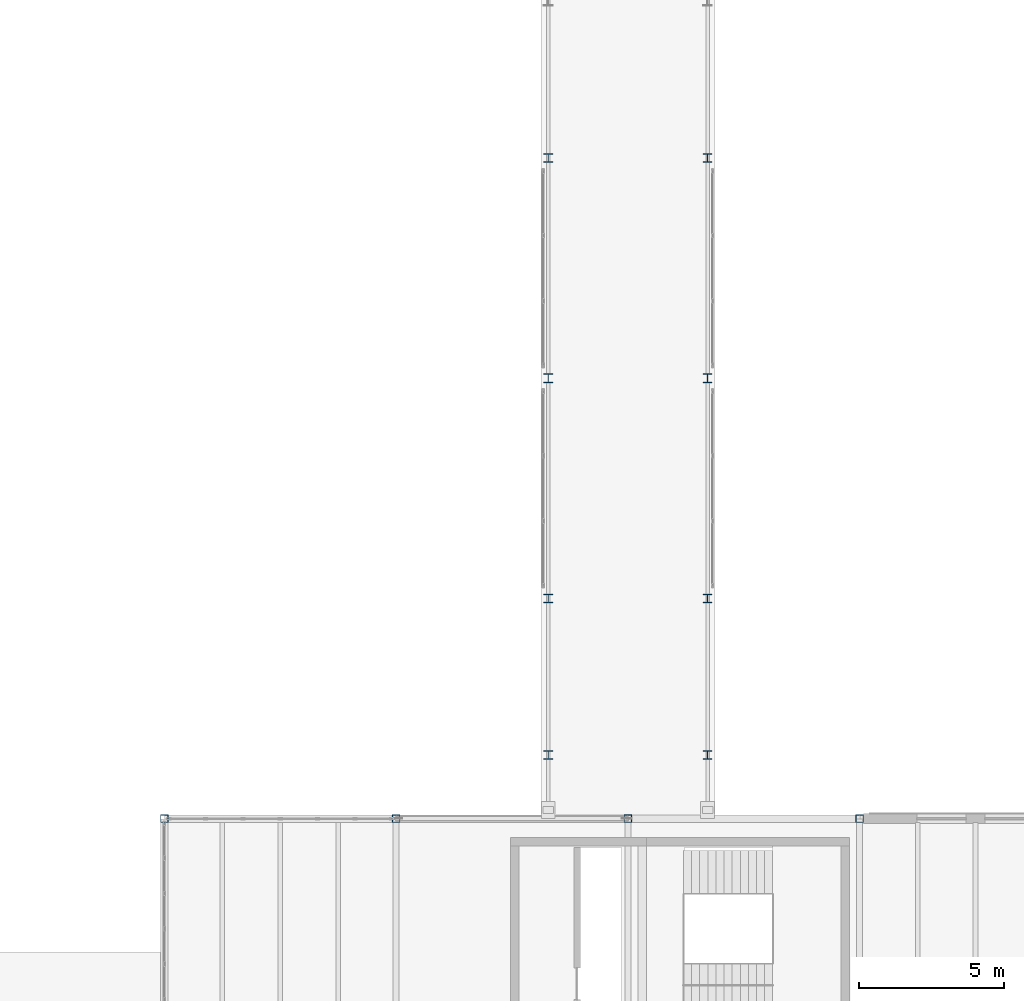
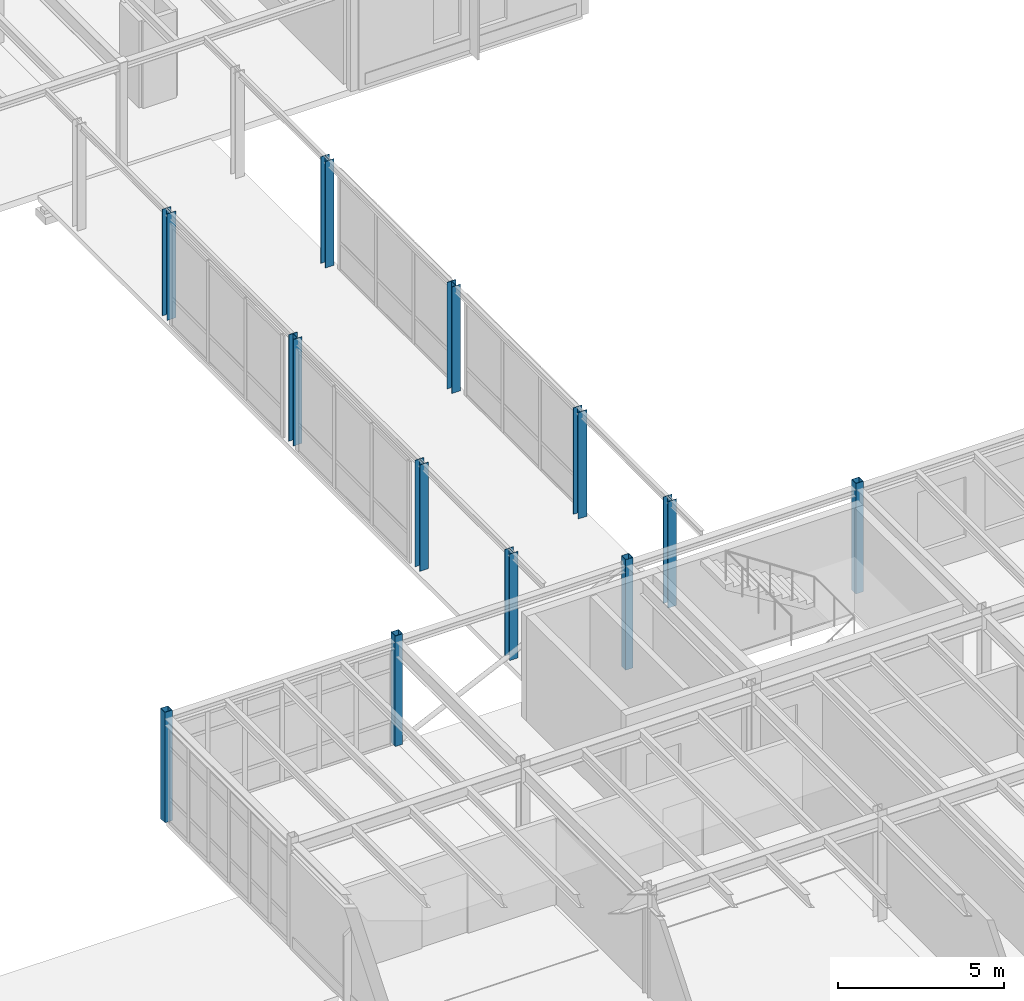
# One storey, part 19 of 189: 12 columns.
"""IFC4 building model written with IfcOpenShell, lengths in metres."""

from ifc_helpers import new_model, si_unit, direction, frame, origin, origin_2d, place, context, subcontext, project, spatial, hollow_rectangle, i_section, extrude, material, material_profile, profile_set, type_object, element, save


model = new_model("IFC4")

# Units and contexts
model_context = context("Model", 3, precision=1e-05, world=origin(), true_north=direction((0.0, 1.0)))
body_context = subcontext(model_context, "Body", "Model", "MODEL_VIEW")
ifc_project = project(units=[si_unit("LENGTHUNIT", "METRE"), si_unit("AREAUNIT", "SQUARE_METRE"), si_unit("VOLUMEUNIT", "CUBIC_METRE"), si_unit("PLANEANGLEUNIT", "RADIAN"), si_unit("MASSUNIT", "GRAM", prefix="KILO")], contexts=[model_context])

# Site, building, storey
site_placement = place(None, origin())
site = spatial("IfcSite", under=ifc_project, at=site_placement, CompositionType="ELEMENT")
building_placement = place(site_placement, origin())
building = spatial("IfcBuilding", under=site, at=building_placement, Name="Montecoro Central Library", CompositionType="ELEMENT")
storey_placement = place(building_placement, frame((0.0, 0.0, 9.179931640625)))
storey = spatial("IfcBuildingStorey", under=building, at=storey_placement, Name="L02", CompositionType="ELEMENT", Elevation=9.179931640625)

# Columns
ifc_material = material(Name="Steel S355", Category="steel")
ifc_material_profile_1 = material_profile(ifc_material, i_section(OverallWidth=0.300048828125, OverallDepth=0.300048828125, WebThickness=0.010986328125, FlangeThickness=0.01904296875, at=origin_2d()), Name="HEB 300")
ifc_profile_set_1 = profile_set([ifc_material_profile_1], Name="Steel S355")
column_type_1 = type_object("IfcColumnType", Name="COL-HEB300", PredefinedType="COLUMN", material=ifc_profile_set_1)
for number, where, z_axis, x_axis, name in (
    (1, (154.25, 45.199951171875, 0.0), (0.0, 0.0, 1.0), (1.0, 0.0, 0.0), "BR-E-L02-COL-1542-452"),
    (2, (159.75, 45.199951171875, 0.0), (0.0, 0.0, 1.0), (1.0, 0.0, 0.0), "BR-E-L02-COL-1597-452"),
    (3, (154.25, 50.60009765625, 0.0), (0.0, 0.0, 1.0), (1.0, 0.0, 0.0), "BR-E-L02-COL-1542-506"),
    (4, (159.75, 50.60009765625, 0.0), (0.0, 0.0, 1.0), (1.0, 0.0, 0.0), "BR-E-L02-COL-1597-506"),
    (5, (154.25, 58.199951171875, 0.0), (0.0, 0.0, 1.0), (1.0, 0.0, 0.0), "BR-E-L02-COL-1542-582"),
    (6, (159.75, 58.199951171875, 0.0), (0.0, 0.0, 1.0), (1.0, 0.0, 0.0), "BR-E-L02-COL-1597-582"),
    (7, (154.25, 65.800048828125, 0.0), (0.0, 0.0, 1.0), (1.0, 0.0, 0.0), "BR-E-L02-COL-1542-658"),
    (8, (159.75, 65.800048828125, 0.0), (0.0, 0.0, 1.0), (1.0, 0.0, 0.0), "BR-E-L02-COL-1597-658"),
):
    element("IfcColumn", number, at=place(storey_placement, frame(where, z_axis=z_axis, x_axis=x_axis)), inside=storey, type_object=column_type_1, Name=name, PredefinedType="COLUMN", context=body_context, shape_type="SweptSolid", body=[
        extrude(i_section(OverallWidth=0.300048828125, OverallDepth=0.300048828125, WebThickness=0.010986328125, FlangeThickness=0.01904296875, at=origin_2d()), origin(), (0.0, 0.0, 1.0), 3.907958984375),
    ])
ifc_material_profile_2 = material_profile(ifc_material, hollow_rectangle(XDim=0.260009765625, YDim=0.260009765625, WallThickness=0.012451171875, at=origin_2d()), Name="SHS 260x260x12.5")
ifc_profile_set_2 = profile_set([ifc_material_profile_2], Name="Steel S355")
column_type_2 = type_object("IfcColumnType", Name="COL-SHS260", PredefinedType="COLUMN", material=ifc_profile_set_2)
for number, where, z_axis, x_axis, name in (
    (9, (141.0, 43.0, 0.0), (0.0, 0.0, 1.0), (1.0, 0.0, 0.0), "V6-L02-COL-18-F"),
    (10, (149.0, 43.0, 0.0), (0.0, 0.0, 1.0), (1.0, 0.0, 0.0), "V6-L02-COL-19-F"),
    (11, (157.0, 43.0, 0.0), (0.0, 0.0, 1.0), (1.0, 0.0, 0.0), "V6-L02-COL-20-F"),
    (12, (165.0, 43.0, 0.0), (0.0, 0.0, 1.0), (1.0, 0.0, 0.0), "V6-L02-COL-21-F"),
):
    element("IfcColumn", number, at=place(storey_placement, frame(where, z_axis=z_axis, x_axis=x_axis)), inside=storey, type_object=column_type_2, Name=name, PredefinedType="COLUMN", context=body_context, shape_type="SweptSolid", body=[
        extrude(hollow_rectangle(XDim=0.260009765625, YDim=0.260009765625, WallThickness=0.012451171875, at=origin_2d()), origin(), (0.0, 0.0, 1.0), 4.05517578125),
    ])

save(model, "model.ifc")
